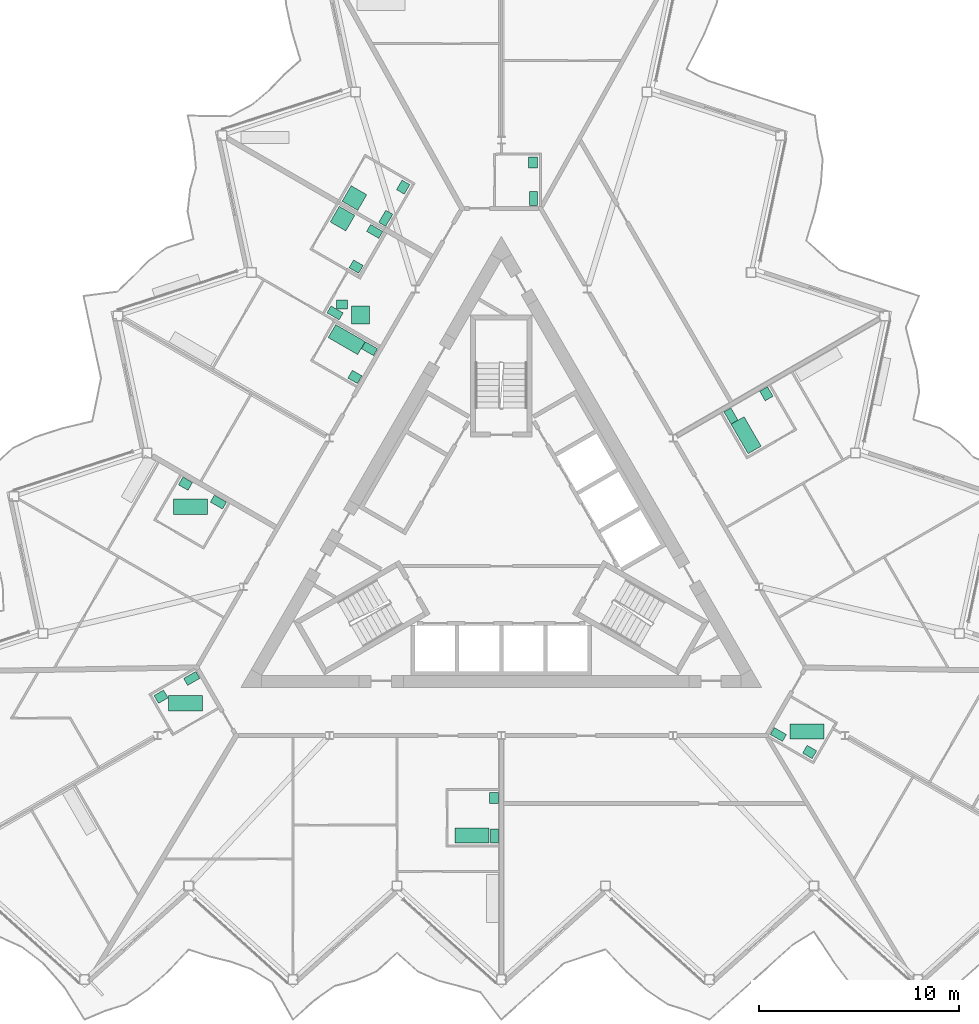
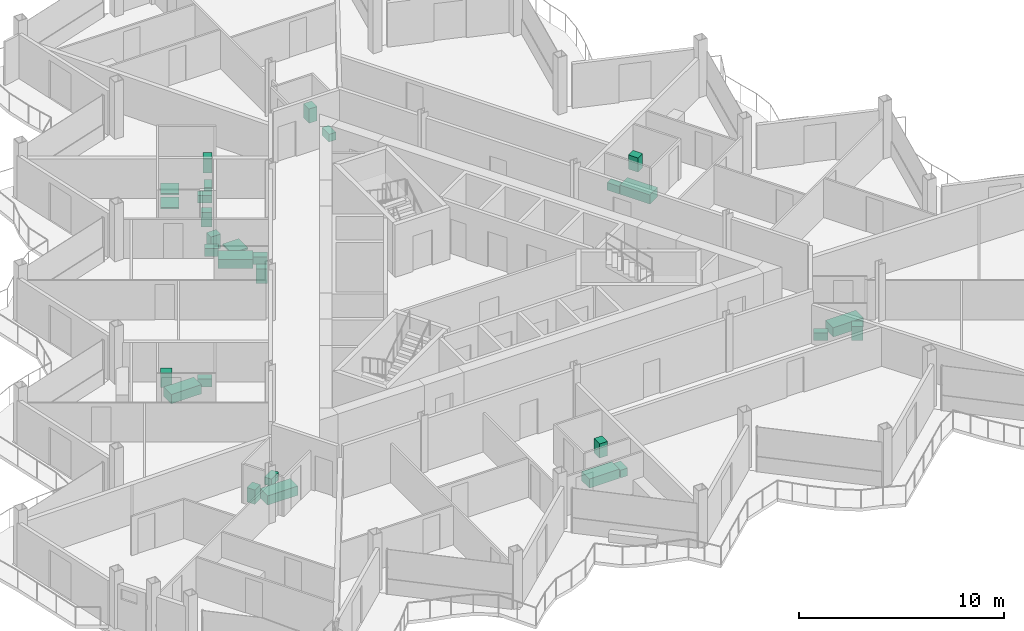
# One storey, part 25 of 26: 29 sanitary terminals.
"""IFC4 building model written with IfcOpenShell, lengths in metres."""

from ifc_helpers import new_model, si_unit, direction, frame, origin, origin_2d, place, context, subcontext, project, spatial, rectangle, extrude, material, type_object, element, save


model = new_model("IFC4")

# Units and contexts
model_context = context("Model", 3, precision=1e-05, world=origin(), true_north=direction((0.0, 1.0)))
body_context = subcontext(model_context, "Body", "Model", "MODEL_VIEW")
ifc_project = project(units=[si_unit("LENGTHUNIT", "METRE"), si_unit("AREAUNIT", "SQUARE_METRE"), si_unit("VOLUMEUNIT", "CUBIC_METRE"), si_unit("PLANEANGLEUNIT", "RADIAN"), si_unit("MASSUNIT", "GRAM", prefix="KILO")], contexts=[model_context])

# Site, building, storey
site_placement = place(None, origin())
site = spatial("IfcSite", under=ifc_project, at=site_placement, CompositionType="ELEMENT")
building_placement = place(site_placement, origin())
building = spatial("IfcBuilding", under=site, at=building_placement, Name="Cormorant Prow Tower", CompositionType="ELEMENT")
storey_placement = place(building_placement, frame((0.0, 0.0, 381.39990234375)))
storey = spatial("IfcBuildingStorey", under=building, at=storey_placement, Name="L86", CompositionType="ELEMENT", Elevation=381.39990234375)

# Sanitary terminals
ifc_material_1 = material(Name="Vitreous china")
sanitary_terminal_type_1 = type_object("IfcSanitaryTerminalType", Name="Bath 1700x750", PredefinedType="BATH", material=ifc_material_1)
for number, where, z_axis, x_axis, name in (
    (1, (-1.455078125, -14.885498046875, 0.0), (0.0, 0.0, 1.0), (1.0, 0.0, 0.0), "Bath"),
    (2, (15.2607421875, -9.70068359375, 0.0), (0.0, 0.0, 1.0), (1.0, 0.0, 0.0), "Bath"),
    (3, (12.219482421875, 5.086181640625, 0.0), (0.0, 0.0, 1.0), (-0.5, 0.866025403784, 0.0), "Bath"),
    (4, (-7.715087890625, 9.8583984375, 0.0), (0.0, 0.0, 1.0), (0.866025403784, -0.5, 0.0), "Bath"),
    (5, (-15.51171875, 1.515869140625, 0.0), (0.0, 0.0, 1.0), (1.0, 0.0, 0.0), "Bath"),
    (6, (-15.75244140625, -8.29248046875, 0.0), (0.0, 0.0, 1.0), (1.0, 0.0, 0.0), "Bath"),
):
    element("IfcSanitaryTerminal", number, at=place(storey_placement, frame(where, z_axis=z_axis, x_axis=x_axis)), inside=storey, type_object=sanitary_terminal_type_1, Name=name, PredefinedType="BATH", context=body_context, shape_type="SweptSolid", body=[
        extrude(rectangle(XDim=1.699951171875, YDim=0.75, at=origin_2d()), origin(), (0.0, 0.0, 1.0), 0.550048828125),
    ])
ifc_material_2 = material(Name="Vitreous china")
sanitary_terminal_type_2 = type_object("IfcSanitaryTerminalType", Name="Shower tray 900x900", PredefinedType="SHOWER", material=ifc_material_2)
for number, where, z_axis, x_axis, name in (
    (7, (-7.328857421875, 16.92724609375, 0.0), (0.0, 0.0, 1.0), (0.5, 0.866025403784, 0.0), "Shower tray"),
    (8, (-7.923828125, 15.896728515625, 0.0), (0.0, 0.0, 1.0), (0.866025403784, -0.5, 0.0), "Shower tray"),
    (9, (-7.01708984375, 11.0859375, 0.0), (0.0, 0.0, 1.0), (1.0, 0.0, 0.0), "Shower tray"),
):
    element("IfcSanitaryTerminal", number, at=place(storey_placement, frame(where, z_axis=z_axis, x_axis=x_axis)), inside=storey, type_object=sanitary_terminal_type_2, Name=name, PredefinedType="SHOWER", context=body_context, shape_type="SweptSolid", body=[
        extrude(rectangle(XDim=0.89990234375, YDim=0.89990234375, at=origin_2d()), origin(), (0.0, 0.0, 1.0), 0.10009765625),
    ])
ifc_material_3 = material(Name="Vitreous china")
sanitary_terminal_type_3 = type_object("IfcSanitaryTerminalType", Name="Wash basin 550x450", PredefinedType="WASHHANDBASIN", material=ifc_material_3)
for number, where, z_axis, x_axis, name in (
    (10, (-0.3701171875, -13.025634765625, 0.0), (0.0, 0.0, 1.0), (0.0, -1.0, 0.0), "Wash basin"),
    (11, (15.390380859375, -10.72509765625, 0.0), (0.0, 0.0, 1.0), (-0.866025403784, 0.5, 0.0), "Wash basin"),
    (12, (13.231201171875, 7.154052734375, 0.0), (0.0, 0.0, 1.0), (0.5, -0.866025403784, 0.0), "Wash basin"),
    (13, (1.593017578125, 18.691162109375, 0.0), (0.0, 0.0, 1.0), (0.0, -1.0, 0.0), "Wash basin"),
    (14, (-4.897216796875, 17.468994140625, 0.0), (0.0, 0.0, 1.0), (-0.5, -0.866025403784, 0.0), "Wash basin"),
    (15, (-7.30712890625, 7.99462890625, 0.0), (0.0, 0.0, 1.0), (-0.866025403784, 0.5, 0.0), "Wash basin"),
    (16, (-7.24560546875, 13.501708984375, 0.0), (0.0, 0.0, 1.0), (-0.866025403784, 0.5, 0.0), "Wash basin"),
    (17, (-7.942138671875, 11.61083984375, 0.0), (0.0, 0.0, 1.0), (1.0, 0.0, 0.0), "Wash basin"),
    (18, (-15.762939453125, 2.6689453125, 0.0), (0.0, 0.0, 1.0), (0.866025403784, -0.5, 0.0), "Wash basin"),
    (19, (-16.9833984375, -7.9658203125, 0.0), (0.0, 0.0, 1.0), (0.866025403784, 0.5, 0.0), "Wash basin"),
):
    element("IfcSanitaryTerminal", number, at=place(storey_placement, frame(where, z_axis=z_axis, x_axis=x_axis)), inside=storey, type_object=sanitary_terminal_type_3, Name=name, PredefinedType="WASHHANDBASIN", context=body_context, shape_type="SweptSolid", body=[
        extrude(rectangle(XDim=0.550048828125, YDim=0.449951171875, at=origin_2d()), origin(), (0.0, 0.0, 1.0), 0.85009765625),
    ])
ifc_material_4 = material(Name="Vitreous china")
sanitary_terminal_type_4 = type_object("IfcSanitaryTerminalType", Name="Water closet 400x700", PredefinedType="WCSEAT", material=ifc_material_4)
for number, where, z_axis, x_axis, name in (
    (20, (-0.344970703125, -14.91064453125, 0.0), (0.0, 0.0, 1.0), (-1.0, 0.0, 0.0), "Water closet"),
    (21, (13.83203125, -9.854248046875, 0.0), (0.0, 0.0, 1.0), (0.5, 0.866025403784, 0.0), "Water closet"),
    (22, (11.462890625, 6.046630859375, 0.0), (0.0, 0.0, 1.0), (0.866025403784, 0.5, 0.0), "Water closet"),
    (23, (1.617919921875, 16.906005859375, 0.0), (0.0, 0.0, 1.0), (-1.0, 0.0, 0.0), "Water closet"),
    (24, (-5.76806640625, 15.91064453125, 0.0), (0.0, 0.0, 1.0), (-0.866025403784, 0.5, 0.0), "Water closet"),
    (25, (-6.57958984375, 9.40478515625, 0.0), (0.0, 0.0, 1.0), (-0.5, -0.866025403784, 0.0), "Water closet"),
    (26, (-6.31787109375, 15.25830078125, 0.0), (0.0, 0.0, 1.0), (-0.5, -0.866025403784, 0.0), "Water closet"),
    (27, (-8.295654296875, 11.1923828125, 0.0), (0.0, 0.0, 1.0), (0.5, 0.866025403784, 0.0), "Water closet"),
    (28, (-14.117919921875, 1.748291015625, 0.0), (0.0, 0.0, 1.0), (-0.5, -0.866025403784, 0.0), "Water closet"),
    (29, (-15.4501953125, -7.0517578125, 0.0), (0.0, 0.0, 1.0), (0.5, -0.866025403784, 0.0), "Water closet"),
):
    element("IfcSanitaryTerminal", number, at=place(storey_placement, frame(where, z_axis=z_axis, x_axis=x_axis)), inside=storey, type_object=sanitary_terminal_type_4, Name=name, PredefinedType="WCSEAT", context=body_context, shape_type="SweptSolid", body=[
        extrude(rectangle(XDim=0.39990234375, YDim=0.699951171875, at=origin_2d()), origin(), (0.0, 0.0, 1.0), 0.449951171875),
    ])

save(model, "model.ifc")
